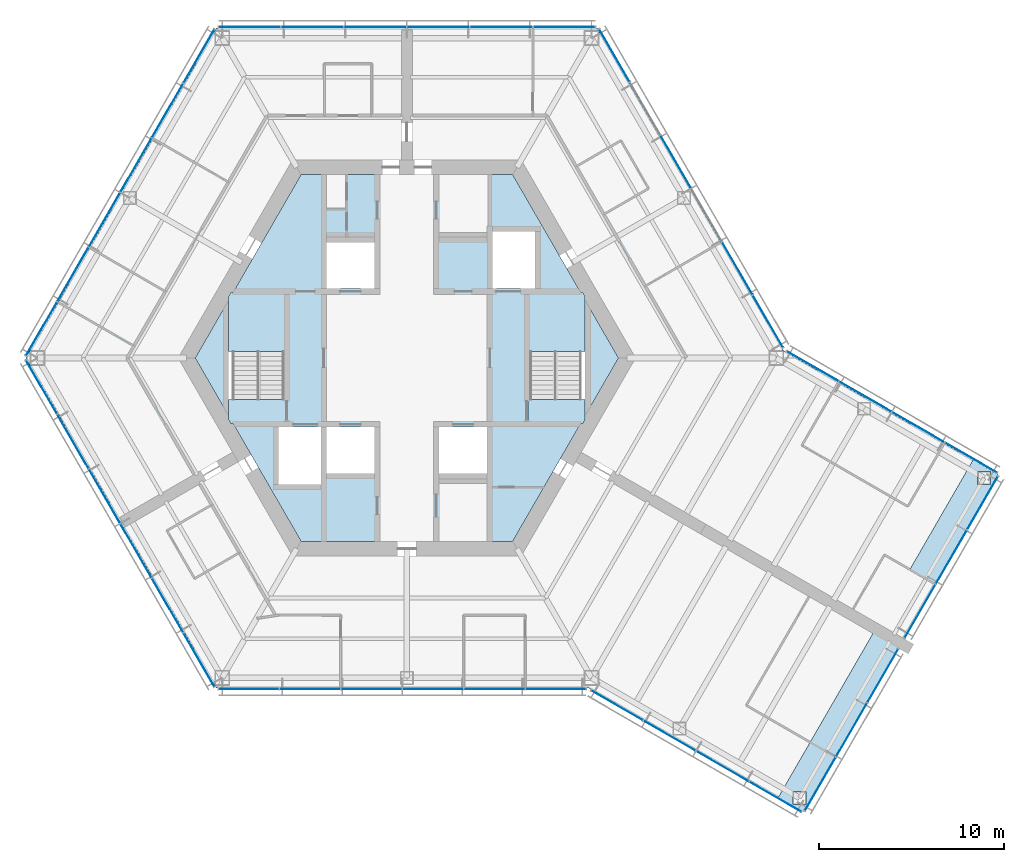
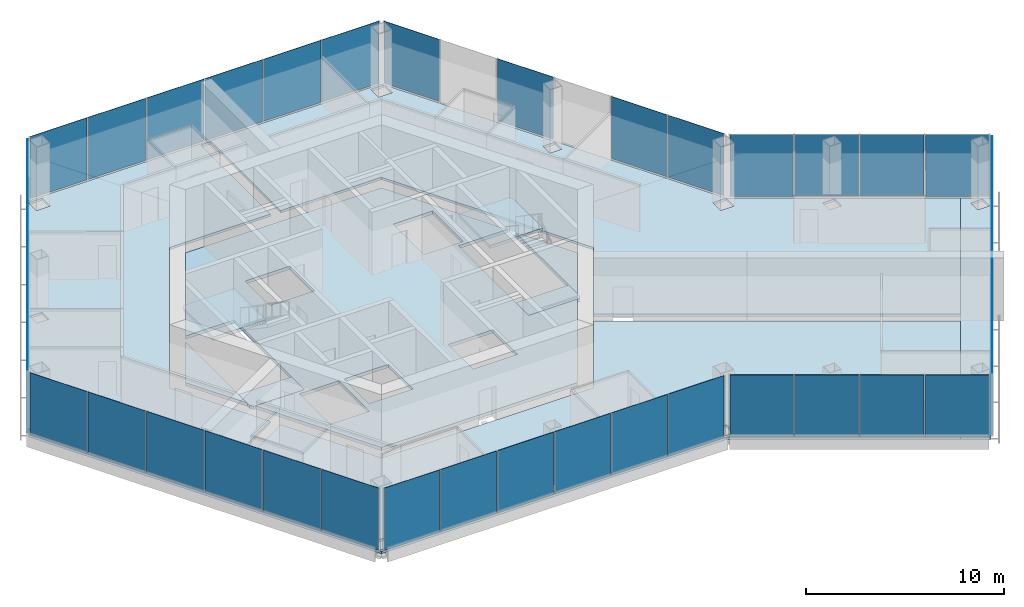
# One storey, part 8 of 16: 42 plates, 9 slabs, 11 elements without a shape of their own.
"""IFC4 building model written with IfcOpenShell, lengths in metres."""

from ifc_helpers import new_model, si_unit, direction, frame, origin, origin_2d, place, context, subcontext, project, spatial, polyline, rectangle, outline, extrude, material, layer, layer_set, type_object, element, aggregate, save


model = new_model("IFC4")

# Units and contexts
model_context = context("Model", 3, precision=1e-05, world=origin(), true_north=direction((0.0, 1.0)))
body_context = subcontext(model_context, "Body", "Model", "MODEL_VIEW")
ifc_project = project(units=[si_unit("LENGTHUNIT", "METRE"), si_unit("AREAUNIT", "SQUARE_METRE"), si_unit("VOLUMEUNIT", "CUBIC_METRE"), si_unit("PLANEANGLEUNIT", "RADIAN"), si_unit("MASSUNIT", "GRAM", prefix="KILO")], contexts=[model_context])

# Site, building, storey
site_placement = place(None, origin())
site = spatial("IfcSite", under=ifc_project, at=site_placement, CompositionType="ELEMENT")
building_placement = place(site_placement, origin())
building = spatial("IfcBuilding", under=site, at=building_placement, Name="Kasaneha Research Tower", CompositionType="ELEMENT")
storey_placement = place(building_placement, frame((0.0, 0.0, 263.5)))
storey = spatial("IfcBuildingStorey", under=building, at=storey_placement, Name="L66", CompositionType="ELEMENT", Elevation=263.5)

# Curtain wall, plates
ifc_material_1 = material(Name="Glass and aluminium", Category="aluminium")
curtain_wall_type = type_object("IfcCurtainWallType", Name="High-rise office curtain wall", PredefinedType="USERDEFINED", material=ifc_material_1)
curtain_wall_1_placement = place(storey_placement, origin())
curtain_wall_1 = element("IfcCurtainWall", 1, at=curtain_wall_1_placement, inside=storey, type_object=curtain_wall_type, Name="CW-O3 L66 run 01a", ObjectType="UNITISED CURTAIN WALL", PredefinedType="USERDEFINED")
ifc_material_2 = material(Name="Laminated double glazing", Category="glass")
ifc_layer_1 = layer(ifc_material_2, 0.02392578125)
ifc_layer_set_1 = layer_set([ifc_layer_1], Name="CW-O3 glazed panel")
plate_type = type_object("IfcPlateType", Name="CW-O3 glazed panel", PredefinedType="CURTAIN_PANEL", material=ifc_layer_set_1)
plate_1_placement = place(storey_placement, frame((19.549072265625, 1.981201171875, 0.06005859375), z_axis=(0.0, 0.0, 1.0), x_axis=(-0.499999979232, 0.866025415775, 0.0)))
plate_1 = element("IfcPlate", 2, at=plate_1_placement, type_object=plate_type, Name="CW-O3 panel 1", PredefinedType="CURTAIN_PANEL", context=body_context, shape_type="SweptSolid", body=[
    extrude(rectangle(XDim=3.240966796875, YDim=0.02392578125, at=origin_2d()), origin(), (0.0, 0.0, 1.0), 3.840087890625),
])
plate_2_placement = place(storey_placement, frame((17.89111328125, 4.852783203125, 0.06005859375), z_axis=(0.0, 0.0, 1.0), x_axis=(-0.499999979232, 0.866025415775, 0.0)))
plate_2 = element("IfcPlate", 3, at=plate_2_placement, type_object=plate_type, Name="CW-O3 panel 2", PredefinedType="CURTAIN_PANEL", context=body_context, shape_type="SweptSolid", body=[
    extrude(rectangle(XDim=3.27099609375, YDim=0.02392578125, at=origin_2d()), origin(), (0.0, 0.0, 1.0), 3.840087890625),
])
plate_3_placement = place(storey_placement, frame((14.56005859375, 10.622314453125, 0.06005859375), z_axis=(0.0, 0.0, 1.0), x_axis=(-0.499999979232, 0.866025415775, 0.0)))
plate_3 = element("IfcPlate", 4, at=plate_3_placement, type_object=plate_type, Name="CW-O3 panel 4", PredefinedType="CURTAIN_PANEL", context=body_context, shape_type="SweptSolid", body=[
    extrude(rectangle(XDim=3.27099609375, YDim=0.02392578125, at=origin_2d()), origin(), (0.0, 0.0, 1.0), 3.840087890625),
])
plate_4_placement = place(storey_placement, frame((11.236572265625, 16.378662109375, 0.06005859375), z_axis=(0.0, 0.0, 1.0), x_axis=(-0.499999979232, 0.866025415775, 0.0)))
plate_4 = element("IfcPlate", 5, at=plate_4_placement, type_object=plate_type, Name="CW-O3 panel 6", PredefinedType="CURTAIN_PANEL", context=body_context, shape_type="SweptSolid", body=[
    extrude(rectangle(XDim=3.240966796875, YDim=0.02392578125, at=origin_2d()), origin(), (0.0, 0.0, 1.0), 3.840087890625),
])
aggregate(curtain_wall_1, [plate_1, plate_2, plate_3, plate_4])

curtain_wall_2_placement = place(storey_placement, origin())
curtain_wall_2 = element("IfcCurtainWall", 6, at=curtain_wall_2_placement, inside=storey, type_object=curtain_wall_type, Name="CW-O3 L66 run 02a", ObjectType="UNITISED CURTAIN WALL", PredefinedType="USERDEFINED")
plate_5_placement = place(storey_placement, frame((8.523681640625, 17.92041015625, 0.06005859375), z_axis=(0.0, 0.0, 1.0), x_axis=(-1.0, 0.0, 0.0)))
plate_5 = element("IfcPlate", 7, at=plate_5_placement, type_object=plate_type, Name="CW-O3 panel 1", PredefinedType="CURTAIN_PANEL", context=body_context, shape_type="SweptSolid", body=[
    extrude(rectangle(XDim=3.325439453125, YDim=0.02392578125, at=origin_2d()), origin(), (0.0, 0.0, 1.0), 3.840087890625),
])
plate_6_placement = place(storey_placement, frame((5.123291015625, 17.92041015625, 0.06005859375), z_axis=(0.0, 0.0, 1.0), x_axis=(-1.0, 0.0, 0.0)))
plate_6 = element("IfcPlate", 8, at=plate_6_placement, type_object=plate_type, Name="CW-O3 panel 2", PredefinedType="CURTAIN_PANEL", context=body_context, shape_type="SweptSolid", body=[
    extrude(rectangle(XDim=3.35546875, YDim=0.02392578125, at=origin_2d()), origin(), (0.0, 0.0, 1.0), 3.840087890625),
])
plate_7_placement = place(storey_placement, frame((1.707763671875, 17.92041015625, 0.06005859375), z_axis=(0.0, 0.0, 1.0), x_axis=(-1.0, 0.0, 0.0)))
plate_7 = element("IfcPlate", 9, at=plate_7_placement, type_object=plate_type, Name="CW-O3 panel 3", PredefinedType="CURTAIN_PANEL", context=body_context, shape_type="SweptSolid", body=[
    extrude(rectangle(XDim=3.35546875, YDim=0.02392578125, at=origin_2d()), origin(), (0.0, 0.0, 1.0), 3.840087890625),
])
plate_8_placement = place(storey_placement, frame((-1.707763671875, 17.92041015625, 0.06005859375), z_axis=(0.0, 0.0, 1.0), x_axis=(-1.0, 0.0, 0.0)))
plate_8 = element("IfcPlate", 10, at=plate_8_placement, type_object=plate_type, Name="CW-O3 panel 4", PredefinedType="CURTAIN_PANEL", context=body_context, shape_type="SweptSolid", body=[
    extrude(rectangle(XDim=3.35546875, YDim=0.02392578125, at=origin_2d()), origin(), (0.0, 0.0, 1.0), 3.840087890625),
])
plate_9_placement = place(storey_placement, frame((-5.123291015625, 17.92041015625, 0.06005859375), z_axis=(0.0, 0.0, 1.0), x_axis=(-1.0, 0.0, 0.0)))
plate_9 = element("IfcPlate", 11, at=plate_9_placement, type_object=plate_type, Name="CW-O3 panel 5", PredefinedType="CURTAIN_PANEL", context=body_context, shape_type="SweptSolid", body=[
    extrude(rectangle(XDim=3.35546875, YDim=0.02392578125, at=origin_2d()), origin(), (0.0, 0.0, 1.0), 3.840087890625),
])
plate_10_placement = place(storey_placement, frame((-8.523681640625, 17.92041015625, 0.06005859375), z_axis=(0.0, 0.0, 1.0), x_axis=(-1.0, 0.0, 0.0)))
plate_10 = element("IfcPlate", 12, at=plate_10_placement, type_object=plate_type, Name="CW-O3 panel 6", PredefinedType="CURTAIN_PANEL", context=body_context, shape_type="SweptSolid", body=[
    extrude(rectangle(XDim=3.325439453125, YDim=0.02392578125, at=origin_2d()), origin(), (0.0, 0.0, 1.0), 3.840087890625),
])
aggregate(curtain_wall_2, [plate_5, plate_6, plate_7, plate_8, plate_9, plate_10])

curtain_wall_3_placement = place(storey_placement, origin())
curtain_wall_3 = element("IfcCurtainWall", 13, at=curtain_wall_3_placement, inside=storey, type_object=curtain_wall_type, Name="CW-O3 L66 run 03a", ObjectType="UNITISED CURTAIN WALL", PredefinedType="USERDEFINED")
plate_11_placement = place(storey_placement, frame((-11.2578125, 16.342041015625, 0.06005859375), z_axis=(0.0, 0.0, 1.0), x_axis=(-0.499999995722, -0.866025406254, 0.0)))
plate_11 = element("IfcPlate", 14, at=plate_11_placement, type_object=plate_type, Name="CW-O3 panel 1", PredefinedType="CURTAIN_PANEL", context=body_context, shape_type="SweptSolid", body=[
    extrude(rectangle(XDim=3.325439453125, YDim=0.02392578125, at=origin_2d()), origin(), (0.0, 0.0, 1.0), 3.840087890625),
])
plate_12_placement = place(storey_placement, frame((-12.9580078125, 13.39697265625, 0.06005859375), z_axis=(0.0, 0.0, 1.0), x_axis=(-0.499999995722, -0.866025406254, 0.0)))
plate_12 = element("IfcPlate", 15, at=plate_12_placement, type_object=plate_type, Name="CW-O3 panel 2", PredefinedType="CURTAIN_PANEL", context=body_context, shape_type="SweptSolid", body=[
    extrude(rectangle(XDim=3.35546875, YDim=0.02392578125, at=origin_2d()), origin(), (0.0, 0.0, 1.0), 3.840087890625),
])
plate_13_placement = place(storey_placement, frame((-14.665771484375, 10.439208984375, 0.06005859375), z_axis=(0.0, 0.0, 1.0), x_axis=(-0.499999995722, -0.866025406254, 0.0)))
plate_13 = element("IfcPlate", 16, at=plate_13_placement, type_object=plate_type, Name="CW-O3 panel 3", PredefinedType="CURTAIN_PANEL", context=body_context, shape_type="SweptSolid", body=[
    extrude(rectangle(XDim=3.35546875, YDim=0.02392578125, at=origin_2d()), origin(), (0.0, 0.0, 1.0), 3.840087890625),
])
plate_14_placement = place(storey_placement, frame((-16.37353515625, 7.481201171875, 0.06005859375), z_axis=(0.0, 0.0, 1.0), x_axis=(-0.499999995722, -0.866025406254, 0.0)))
plate_14 = element("IfcPlate", 17, at=plate_14_placement, type_object=plate_type, Name="CW-O3 panel 4", PredefinedType="CURTAIN_PANEL", context=body_context, shape_type="SweptSolid", body=[
    extrude(rectangle(XDim=3.35546875, YDim=0.02392578125, at=origin_2d()), origin(), (0.0, 0.0, 1.0), 3.840087890625),
])
plate_15_placement = place(storey_placement, frame((-18.081298828125, 4.5234375, 0.06005859375), z_axis=(0.0, 0.0, 1.0), x_axis=(-0.499999995722, -0.866025406254, 0.0)))
plate_15 = element("IfcPlate", 18, at=plate_15_placement, type_object=plate_type, Name="CW-O3 panel 5", PredefinedType="CURTAIN_PANEL", context=body_context, shape_type="SweptSolid", body=[
    extrude(rectangle(XDim=3.35546875, YDim=0.02392578125, at=origin_2d()), origin(), (0.0, 0.0, 1.0), 3.840087890625),
])
plate_16_placement = place(storey_placement, frame((-19.781494140625, 1.57861328125, 0.06005859375), z_axis=(0.0, 0.0, 1.0), x_axis=(-0.499999995722, -0.866025406254, 0.0)))
plate_16 = element("IfcPlate", 19, at=plate_16_placement, type_object=plate_type, Name="CW-O3 panel 6", PredefinedType="CURTAIN_PANEL", context=body_context, shape_type="SweptSolid", body=[
    extrude(rectangle(XDim=3.325439453125, YDim=0.02392578125, at=origin_2d()), origin(), (0.0, 0.0, 1.0), 3.840087890625),
])
aggregate(curtain_wall_3, [plate_11, plate_12, plate_13, plate_14, plate_15, plate_16])

curtain_wall_4_placement = place(storey_placement, origin())
curtain_wall_4 = element("IfcCurtainWall", 20, at=curtain_wall_4_placement, inside=storey, type_object=curtain_wall_type, Name="CW-O3 L66 run 04a", ObjectType="UNITISED CURTAIN WALL", PredefinedType="USERDEFINED")
plate_17_placement = place(storey_placement, frame((-19.781494140625, -1.57861328125, 0.06005859375), z_axis=(0.0, 0.0, 1.0), x_axis=(0.499999995722, -0.866025406254, 0.0)))
plate_17 = element("IfcPlate", 21, at=plate_17_placement, type_object=plate_type, Name="CW-O3 panel 1", PredefinedType="CURTAIN_PANEL", context=body_context, shape_type="SweptSolid", body=[
    extrude(rectangle(XDim=3.325439453125, YDim=0.02392578125, at=origin_2d()), origin(), (0.0, 0.0, 1.0), 3.840087890625),
])
plate_18_placement = place(storey_placement, frame((-18.081298828125, -4.5234375, 0.06005859375), z_axis=(0.0, 0.0, 1.0), x_axis=(0.499999995722, -0.866025406254, 0.0)))
plate_18 = element("IfcPlate", 22, at=plate_18_placement, type_object=plate_type, Name="CW-O3 panel 2", PredefinedType="CURTAIN_PANEL", context=body_context, shape_type="SweptSolid", body=[
    extrude(rectangle(XDim=3.35546875, YDim=0.02392578125, at=origin_2d()), origin(), (0.0, 0.0, 1.0), 3.840087890625),
])
plate_19_placement = place(storey_placement, frame((-16.37353515625, -7.481201171875, 0.06005859375), z_axis=(0.0, 0.0, 1.0), x_axis=(0.499999995722, -0.866025406254, 0.0)))
plate_19 = element("IfcPlate", 23, at=plate_19_placement, type_object=plate_type, Name="CW-O3 panel 3", PredefinedType="CURTAIN_PANEL", context=body_context, shape_type="SweptSolid", body=[
    extrude(rectangle(XDim=3.35546875, YDim=0.02392578125, at=origin_2d()), origin(), (0.0, 0.0, 1.0), 3.840087890625),
])
plate_20_placement = place(storey_placement, frame((-14.665771484375, -10.439208984375, 0.06005859375), z_axis=(0.0, 0.0, 1.0), x_axis=(0.499999995722, -0.866025406254, 0.0)))
plate_20 = element("IfcPlate", 24, at=plate_20_placement, type_object=plate_type, Name="CW-O3 panel 4", PredefinedType="CURTAIN_PANEL", context=body_context, shape_type="SweptSolid", body=[
    extrude(rectangle(XDim=3.35546875, YDim=0.02392578125, at=origin_2d()), origin(), (0.0, 0.0, 1.0), 3.840087890625),
])
plate_21_placement = place(storey_placement, frame((-12.9580078125, -13.39697265625, 0.06005859375), z_axis=(0.0, 0.0, 1.0), x_axis=(0.499999995722, -0.866025406254, 0.0)))
plate_21 = element("IfcPlate", 25, at=plate_21_placement, type_object=plate_type, Name="CW-O3 panel 5", PredefinedType="CURTAIN_PANEL", context=body_context, shape_type="SweptSolid", body=[
    extrude(rectangle(XDim=3.35546875, YDim=0.02392578125, at=origin_2d()), origin(), (0.0, 0.0, 1.0), 3.840087890625),
])
plate_22_placement = place(storey_placement, frame((-11.2578125, -16.342041015625, 0.06005859375), z_axis=(0.0, 0.0, 1.0), x_axis=(0.499999995722, -0.866025406254, 0.0)))
plate_22 = element("IfcPlate", 26, at=plate_22_placement, type_object=plate_type, Name="CW-O3 panel 6", PredefinedType="CURTAIN_PANEL", context=body_context, shape_type="SweptSolid", body=[
    extrude(rectangle(XDim=3.325439453125, YDim=0.02392578125, at=origin_2d()), origin(), (0.0, 0.0, 1.0), 3.840087890625),
])
aggregate(curtain_wall_4, [plate_17, plate_18, plate_19, plate_20, plate_21, plate_22])

curtain_wall_5_placement = place(storey_placement, origin())
curtain_wall_5 = element("IfcCurtainWall", 27, at=curtain_wall_5_placement, inside=storey, type_object=curtain_wall_type, Name="CW-O3 L66 run 05a", ObjectType="UNITISED CURTAIN WALL", PredefinedType="USERDEFINED")
plate_23_placement = place(storey_placement, frame((-8.56591796875, -17.92041015625, 0.06005859375), z_axis=(0.0, 0.0, 1.0), x_axis=(1.0, 0.0, 0.0)))
plate_23 = element("IfcPlate", 28, at=plate_23_placement, type_object=plate_type, Name="CW-O3 panel 1", PredefinedType="CURTAIN_PANEL", context=body_context, shape_type="SweptSolid", body=[
    extrude(rectangle(XDim=3.240966796875, YDim=0.02392578125, at=origin_2d()), origin(), (0.0, 0.0, 1.0), 3.840087890625),
])
plate_24_placement = place(storey_placement, frame((-5.25, -17.92041015625, 0.06005859375), z_axis=(0.0, 0.0, 1.0), x_axis=(1.0, 0.0, 0.0)))
plate_24 = element("IfcPlate", 29, at=plate_24_placement, type_object=plate_type, Name="CW-O3 panel 2", PredefinedType="CURTAIN_PANEL", context=body_context, shape_type="SweptSolid", body=[
    extrude(rectangle(XDim=3.27099609375, YDim=0.02392578125, at=origin_2d()), origin(), (0.0, 0.0, 1.0), 3.840087890625),
])
plate_25_placement = place(storey_placement, frame((-1.9189453125, -17.92041015625, 0.06005859375), z_axis=(0.0, 0.0, 1.0), x_axis=(1.0, 0.0, 0.0)))
plate_25 = element("IfcPlate", 30, at=plate_25_placement, type_object=plate_type, Name="CW-O3 panel 3", PredefinedType="CURTAIN_PANEL", context=body_context, shape_type="SweptSolid", body=[
    extrude(rectangle(XDim=3.27099609375, YDim=0.02392578125, at=origin_2d()), origin(), (0.0, 0.0, 1.0), 3.840087890625),
])
plate_26_placement = place(storey_placement, frame((1.411865234375, -17.92041015625, 0.06005859375), z_axis=(0.0, 0.0, 1.0), x_axis=(1.0, 0.0, 0.0)))
plate_26 = element("IfcPlate", 31, at=plate_26_placement, type_object=plate_type, Name="CW-O3 panel 4", PredefinedType="CURTAIN_PANEL", context=body_context, shape_type="SweptSolid", body=[
    extrude(rectangle(XDim=3.27099609375, YDim=0.02392578125, at=origin_2d()), origin(), (0.0, 0.0, 1.0), 3.840087890625),
])
plate_27_placement = place(storey_placement, frame((4.742919921875, -17.92041015625, 0.06005859375), z_axis=(0.0, 0.0, 1.0), x_axis=(1.0, 0.0, 0.0)))
plate_27 = element("IfcPlate", 32, at=plate_27_placement, type_object=plate_type, Name="CW-O3 panel 5", PredefinedType="CURTAIN_PANEL", context=body_context, shape_type="SweptSolid", body=[
    extrude(rectangle(XDim=3.27099609375, YDim=0.02392578125, at=origin_2d()), origin(), (0.0, 0.0, 1.0), 3.840087890625),
])
plate_28_placement = place(storey_placement, frame((8.058837890625, -17.92041015625, 0.06005859375), z_axis=(0.0, 0.0, 1.0), x_axis=(1.0, 0.0, 0.0)))
plate_28 = element("IfcPlate", 33, at=plate_28_placement, type_object=plate_type, Name="CW-O3 panel 6", PredefinedType="CURTAIN_PANEL", context=body_context, shape_type="SweptSolid", body=[
    extrude(rectangle(XDim=3.240966796875, YDim=0.02392578125, at=origin_2d()), origin(), (0.0, 0.0, 1.0), 3.840087890625),
])
aggregate(curtain_wall_5, [plate_23, plate_24, plate_25, plate_26, plate_27, plate_28])

curtain_wall_6_placement = place(storey_placement, origin())
curtain_wall_6 = element("IfcCurtainWall", 34, at=curtain_wall_6_placement, inside=storey, type_object=curtain_wall_type, Name="CW-O3 L66 run 06a", ObjectType="UNITISED CURTAIN WALL", PredefinedType="USERDEFINED")
plate_29_placement = place(storey_placement, frame((11.3720703125, -18.805419921875, 0.06005859375), z_axis=(0.0, 0.0, 1.0), x_axis=(0.866025411464, -0.499999986699, 0.0)))
plate_29 = element("IfcPlate", 35, at=plate_29_placement, type_object=plate_type, Name="CW-O3 panel 1", PredefinedType="CURTAIN_PANEL", context=body_context, shape_type="SweptSolid", body=[
    extrude(rectangle(XDim=3.2197265625, YDim=0.02392578125, at=origin_2d()), origin(), (0.0, 0.0, 1.0), 3.840087890625),
])
plate_30_placement = place(storey_placement, frame((14.225341796875, -20.452880859375, 0.06005859375), z_axis=(0.0, 0.0, 1.0), x_axis=(0.866025411464, -0.499999986699, 0.0)))
plate_30 = element("IfcPlate", 36, at=plate_30_placement, type_object=plate_type, Name="CW-O3 panel 2", PredefinedType="CURTAIN_PANEL", context=body_context, shape_type="SweptSolid", body=[
    extrude(rectangle(XDim=3.249755859375, YDim=0.02392578125, at=origin_2d()), origin(), (0.0, 0.0, 1.0), 3.840087890625),
])
plate_31_placement = place(storey_placement, frame((17.091796875, -22.107666015625, 0.06005859375), z_axis=(0.0, 0.0, 1.0), x_axis=(0.866025411464, -0.499999986699, 0.0)))
plate_31 = element("IfcPlate", 37, at=plate_31_placement, type_object=plate_type, Name="CW-O3 panel 3", PredefinedType="CURTAIN_PANEL", context=body_context, shape_type="SweptSolid", body=[
    extrude(rectangle(XDim=3.249755859375, YDim=0.02392578125, at=origin_2d()), origin(), (0.0, 0.0, 1.0), 3.840087890625),
])
plate_32_placement = place(storey_placement, frame((19.945068359375, -23.755126953125, 0.06005859375), z_axis=(0.0, 0.0, 1.0), x_axis=(0.866025411464, -0.499999986699, 0.0)))
plate_32 = element("IfcPlate", 38, at=plate_32_placement, type_object=plate_type, Name="CW-O3 panel 4", PredefinedType="CURTAIN_PANEL", context=body_context, shape_type="SweptSolid", body=[
    extrude(rectangle(XDim=3.2197265625, YDim=0.02392578125, at=origin_2d()), origin(), (0.0, 0.0, 1.0), 3.840087890625),
])
aggregate(curtain_wall_6, [plate_29, plate_30, plate_31, plate_32])

curtain_wall_7_placement = place(storey_placement, origin())
curtain_wall_7 = element("IfcCurtainWall", 39, at=curtain_wall_7_placement, inside=storey, type_object=curtain_wall_type, Name="CW-O3 L66 run 07a", ObjectType="UNITISED CURTAIN WALL", PredefinedType="USERDEFINED")
plate_33_placement = place(storey_placement, frame((22.385498046875, -23.068359375, 0.06005859375), z_axis=(0.0, 0.0, 1.0), x_axis=(0.500000011442, 0.866025397178, 0.0)))
plate_33 = element("IfcPlate", 40, at=plate_33_placement, type_object=plate_type, Name="CW-O3 panel 1", PredefinedType="CURTAIN_PANEL", context=body_context, shape_type="SweptSolid", body=[
    extrude(rectangle(XDim=3.31005859375, YDim=0.02392578125, at=origin_2d()), origin(), (0.0, 0.0, 1.0), 3.840087890625),
])
plate_34_placement = place(storey_placement, frame((24.077880859375, -20.13671875, 0.06005859375), z_axis=(0.0, 0.0, 1.0), x_axis=(0.500000011442, 0.866025397178, 0.0)))
plate_34 = element("IfcPlate", 41, at=plate_34_placement, type_object=plate_type, Name="CW-O3 panel 2", PredefinedType="CURTAIN_PANEL", context=body_context, shape_type="SweptSolid", body=[
    extrude(rectangle(XDim=3.340087890625, YDim=0.02392578125, at=origin_2d()), origin(), (0.0, 0.0, 1.0), 3.840087890625),
])
plate_35_placement = place(storey_placement, frame((25.7705078125, -17.205322265625, 0.06005859375), z_axis=(0.0, 0.0, 1.0), x_axis=(0.500000011442, 0.866025397178, 0.0)))
plate_35 = element("IfcPlate", 42, at=plate_35_placement, type_object=plate_type, Name="CW-O3 panel 3", PredefinedType="CURTAIN_PANEL", context=body_context, shape_type="SweptSolid", body=[
    extrude(rectangle(XDim=3.31005859375, YDim=0.02392578125, at=origin_2d()), origin(), (0.0, 0.0, 1.0), 3.840087890625),
])
aggregate(curtain_wall_7, [plate_33, plate_34, plate_35])

curtain_wall_8_placement = place(storey_placement, origin())
curtain_wall_8 = element("IfcCurtainWall", 43, at=curtain_wall_8_placement, inside=storey, type_object=curtain_wall_type, Name="CW-O3 L66 run 08a", ObjectType="UNITISED CURTAIN WALL", PredefinedType="USERDEFINED")
plate_36_placement = place(storey_placement, frame((27.785400390625, -13.71533203125, 0.06005859375), z_axis=(0.0, 0.0, 1.0), x_axis=(0.500000011442, 0.866025397178, 0.0)))
plate_36 = element("IfcPlate", 44, at=plate_36_placement, type_object=plate_type, Name="CW-O3 panel 1", PredefinedType="CURTAIN_PANEL", context=body_context, shape_type="SweptSolid", body=[
    extrude(rectangle(XDim=3.31005859375, YDim=0.02392578125, at=origin_2d()), origin(), (0.0, 0.0, 1.0), 3.840087890625),
])
plate_37_placement = place(storey_placement, frame((29.47802734375, -10.78369140625, 0.06005859375), z_axis=(0.0, 0.0, 1.0), x_axis=(0.500000011442, 0.866025397178, 0.0)))
plate_37 = element("IfcPlate", 45, at=plate_37_placement, type_object=plate_type, Name="CW-O3 panel 2", PredefinedType="CURTAIN_PANEL", context=body_context, shape_type="SweptSolid", body=[
    extrude(rectangle(XDim=3.340087890625, YDim=0.02392578125, at=origin_2d()), origin(), (0.0, 0.0, 1.0), 3.840087890625),
])
plate_38_placement = place(storey_placement, frame((31.17041015625, -7.852294921875, 0.06005859375), z_axis=(0.0, 0.0, 1.0), x_axis=(0.500000011442, 0.866025397178, 0.0)))
plate_38 = element("IfcPlate", 46, at=plate_38_placement, type_object=plate_type, Name="CW-O3 panel 3", PredefinedType="CURTAIN_PANEL", context=body_context, shape_type="SweptSolid", body=[
    extrude(rectangle(XDim=3.31005859375, YDim=0.02392578125, at=origin_2d()), origin(), (0.0, 0.0, 1.0), 3.840087890625),
])
aggregate(curtain_wall_8, [plate_36, plate_37, plate_38])

curtain_wall_9_placement = place(storey_placement, origin())
curtain_wall_9 = element("IfcCurtainWall", 47, at=curtain_wall_9_placement, inside=storey, type_object=curtain_wall_type, Name="CW-O3 L66 run 09a", ObjectType="UNITISED CURTAIN WALL", PredefinedType="USERDEFINED")
plate_39_placement = place(storey_placement, frame((30.545166015625, -5.3955078125, 0.06005859375), z_axis=(0.0, 0.0, 1.0), x_axis=(-0.866025411464, 0.499999986699, 0.0)))
plate_39 = element("IfcPlate", 48, at=plate_39_placement, type_object=plate_type, Name="CW-O3 panel 1", PredefinedType="CURTAIN_PANEL", context=body_context, shape_type="SweptSolid", body=[
    extrude(rectangle(XDim=3.2197265625, YDim=0.02392578125, at=origin_2d()), origin(), (0.0, 0.0, 1.0), 3.840087890625),
])
plate_40_placement = place(storey_placement, frame((27.69189453125, -3.748046875, 0.06005859375), z_axis=(0.0, 0.0, 1.0), x_axis=(-0.866025411464, 0.499999986699, 0.0)))
plate_40 = element("IfcPlate", 49, at=plate_40_placement, type_object=plate_type, Name="CW-O3 panel 2", PredefinedType="CURTAIN_PANEL", context=body_context, shape_type="SweptSolid", body=[
    extrude(rectangle(XDim=3.249755859375, YDim=0.02392578125, at=origin_2d()), origin(), (0.0, 0.0, 1.0), 3.840087890625),
])
plate_41_placement = place(storey_placement, frame((24.825439453125, -2.093017578125, 0.06005859375), z_axis=(0.0, 0.0, 1.0), x_axis=(-0.866025411464, 0.499999986699, 0.0)))
plate_41 = element("IfcPlate", 50, at=plate_41_placement, type_object=plate_type, Name="CW-O3 panel 3", PredefinedType="CURTAIN_PANEL", context=body_context, shape_type="SweptSolid", body=[
    extrude(rectangle(XDim=3.249755859375, YDim=0.02392578125, at=origin_2d()), origin(), (0.0, 0.0, 1.0), 3.840087890625),
])
plate_42_placement = place(storey_placement, frame((21.971923828125, -0.44580078125, 0.06005859375), z_axis=(0.0, 0.0, 1.0), x_axis=(-0.866025411464, 0.499999986699, 0.0)))
plate_42 = element("IfcPlate", 51, at=plate_42_placement, type_object=plate_type, Name="CW-O3 panel 4", PredefinedType="CURTAIN_PANEL", context=body_context, shape_type="SweptSolid", body=[
    extrude(rectangle(XDim=3.2197265625, YDim=0.02392578125, at=origin_2d()), origin(), (0.0, 0.0, 1.0), 3.840087890625),
])
aggregate(curtain_wall_9, [plate_39, plate_40, plate_41, plate_42])

# Slabs
ifc_material_3 = material(Name="Concrete Fc24", Category="concrete")
ifc_layer_2 = layer(ifc_material_3, 0.199951171875)
ifc_layer_set_2 = layer_set([ifc_layer_2], Name="Core floor slab 200")
slab_type_1 = type_object("IfcSlabType", Name="Core floor slab 200", PredefinedType="FLOOR", material=ifc_layer_set_2)
slab_1_placement = place(storey_placement, frame((0.0, 0.0, -0.199951171875)))
element("IfcSlab", 52, at=slab_1_placement, inside=storey, type_object=slab_type_1, Name="Core slab L66", PredefinedType="FLOOR", context=body_context, shape_type="SweptSolid", body=[
    extrude(outline(polyline([(-11.46044921875, 0.0), (-9.64990234375, 3.1357421875), (-9.64990234375, -3.1357421875), (-11.46044921875, 0.0)])), origin(), (0.0, 0.0, 1.0), 0.199951171875),
])
slab_2_placement = place(storey_placement, frame((0.0, 0.0, -0.199951171875)))
element("IfcSlab", 53, at=slab_2_placement, inside=storey, type_object=slab_type_1, Name="Core slab L66", PredefinedType="FLOOR", context=body_context, shape_type="SweptSolid", body=[
    extrude(outline(polyline([(-5.730224609375, 9.925048828125), (5.730224609375, 9.925048828125), (9.410888671875, 3.550048828125), (6.550048828125, 3.550048828125), (6.550048828125, -3.550048828125), (9.410888671875, -3.550048828125), (5.730224609375, -9.925048828125), (-5.730224609375, -9.925048828125), (-9.410888671875, -3.550048828125), (-6.550048828125, -3.550048828125), (-6.550048828125, 3.550048828125), (-9.410888671875, 3.550048828125), (-5.730224609375, 9.925048828125)]), holes=[polyline([(-6.949951171875, -6.85009765625), (-4.64990234375, -6.85009765625), (-4.64990234375, -3.75), (-6.949951171875, -3.75), (-6.949951171875, -6.85009765625)]), polyline([(-4.35009765625, -3.75), (-4.35009765625, -6.25), (-1.75, -6.25), (-1.75, -3.75), (-4.35009765625, -3.75)]), polyline([(1.75, -3.75), (1.75, -6.25), (4.35009765625, -6.25), (4.35009765625, -3.75), (1.75, -3.75)]), polyline([(-4.35009765625, 6.25), (-4.35009765625, 3.75), (-1.75, 3.75), (-1.75, 6.25), (-4.35009765625, 6.25)]), polyline([(4.64990234375, 6.85009765625), (4.64990234375, 3.75), (6.949951171875, 3.75), (6.949951171875, 6.85009765625), (4.64990234375, 6.85009765625)])]), origin(), (0.0, 0.0, 1.0), 0.199951171875),
])
slab_3_placement = place(storey_placement, frame((0.0, 0.0, -0.199951171875)))
element("IfcSlab", 54, at=slab_3_placement, inside=storey, type_object=slab_type_1, Name="Core slab L66", PredefinedType="FLOOR", context=body_context, shape_type="SweptSolid", body=[
    extrude(outline(polyline([(11.46044921875, 0.0), (9.64990234375, -3.1357421875), (9.64990234375, 3.1357421875), (11.46044921875, 0.0)])), origin(), (0.0, 0.0, 1.0), 0.199951171875),
])
ifc_material_4 = material(Name="Concrete Fc24", Category="concrete")
ifc_layer_3 = layer(ifc_material_4, 0.14990234375)
ifc_layer_set_3 = layer_set([ifc_layer_3], Name="Floor slab 150")
slab_type_2 = type_object("IfcSlabType", Name="Floor slab 150", PredefinedType="FLOOR", material=ifc_layer_set_3)
slab_4_placement = place(storey_placement, frame((0.0, 0.0, -0.14990234375)))
element("IfcSlab", 55, at=slab_4_placement, inside=storey, type_object=slab_type_2, Name="Floor slab L66 1", PredefinedType="FLOOR", context=body_context, shape_type="SweptSolid", body=[
    extrude(outline(polyline([(-10.317626953125, -17.87060546875), (-10.3974609375, -17.732177734375), (-10.385986328125, -17.720703125), (-9.599853515625, -17.720703125), (-9.599853515625, -16.92041015625), (-10.400146484375, -16.92041015625), (-10.400146484375, -17.70654296875), (-10.40771484375, -17.714111328125), (-20.635009765625, 0.0), (-20.40771484375, 0.3935546875), (-20.400146484375, 0.385986328125), (-20.400146484375, -0.400146484375), (-19.599853515625, -0.400146484375), (-19.599853515625, 0.400146484375), (-20.385986328125, 0.400146484375), (-20.3974609375, 0.41162109375), (-10.40771484375, 17.714111328125), (-10.400146484375, 17.70654296875), (-10.400146484375, 16.92041015625), (-9.599853515625, 16.92041015625), (-9.599853515625, 17.720703125), (-10.385986328125, 17.720703125), (-10.3974609375, 17.732177734375), (-10.317626953125, 17.87060546875), (10.317626953125, 17.87060546875), (10.3974609375, 17.732177734375), (10.385986328125, 17.720703125), (9.599853515625, 17.720703125), (9.599853515625, 16.92041015625), (10.400146484375, 16.92041015625), (10.400146484375, 17.70654296875), (10.40771484375, 17.714111328125), (20.3974609375, 0.41162109375), (20.385986328125, 0.400146484375), (19.599853515625, 0.400146484375), (19.599853515625, -0.400146484375), (20.400146484375, -0.400146484375), (20.400146484375, 0.385986328125), (20.41162109375, 0.3974609375), (30.65869140625, -5.518798828125), (25.53369140625, -14.3955078125), (9.438232421875, -5.102783203125), (12.38427734375, 0.0), (6.192138671875, 10.72509765625), (0.300048828125, 10.72509765625), (0.300048828125, 17.7705078125), (-0.300048828125, 17.7705078125), (-0.300048828125, 10.72509765625), (-6.192138671875, 10.72509765625), (-12.38427734375, 0.0), (-9.438232421875, -5.102783203125), (-15.539794921875, -8.62548828125), (-15.23974609375, -9.14501953125), (-9.13818359375, -5.622314453125), (-6.192138671875, -10.72509765625), (6.192138671875, -10.72509765625), (9.13818359375, -5.622314453125), (25.233642578125, -14.9150390625), (20.108642578125, -23.791748046875), (9.8525390625, -17.87060546875), (-10.317626953125, -17.87060546875)]), holes=[polyline([(-0.35009765625, -17.67041015625), (0.35009765625, -17.67041015625), (0.35009765625, -16.970458984375), (-0.35009765625, -16.970458984375), (-0.35009765625, -17.67041015625)]), polyline([(-15.35009765625, 8.310302734375), (-14.64990234375, 8.310302734375), (-14.64990234375, 9.01025390625), (-15.35009765625, 9.01025390625), (-15.35009765625, 8.310302734375)]), polyline([(14.4130859375, -20.42041015625), (15.113037109375, -20.42041015625), (15.113037109375, -19.720458984375), (14.4130859375, -19.720458984375), (14.4130859375, -20.42041015625)]), polyline([(9.60009765625, -17.720458984375), (10.39990234375, -17.720458984375), (10.39990234375, -16.92041015625), (9.60009765625, -16.92041015625), (9.60009765625, -17.720458984375)]), polyline([(24.4130859375, -3.10009765625), (25.113037109375, -3.10009765625), (25.113037109375, -2.39990234375), (24.4130859375, -2.39990234375), (24.4130859375, -3.10009765625)]), polyline([(14.64990234375, 9.01025390625), (14.64990234375, 8.310302734375), (15.35009765625, 8.310302734375), (15.35009765625, 9.01025390625), (14.64990234375, 9.01025390625)])]), origin(), (0.0, 0.0, 1.0), 0.14990234375),
])
slab_5_placement = place(storey_placement, frame((0.0, 0.0, -0.14990234375)))
element("IfcSlab", 56, at=slab_5_placement, inside=storey, type_object=slab_type_2, Name="Floor slab L66 2", PredefinedType="FLOOR", context=body_context, shape_type="SweptSolid", body=[
    extrude(outline(polyline([(32.009521484375, -6.298583984375), (21.459716796875, -24.57177734375), (20.108642578125, -23.791748046875), (25.233642578125, -14.9150390625), (25.2421875, -14.920166015625), (25.542236328125, -14.400390625), (25.53369140625, -14.3955078125), (30.65869140625, -5.518798828125), (32.009521484375, -6.298583984375)]), holes=[polyline([(20.908447265625, -24.17041015625), (21.6083984375, -24.17041015625), (21.6083984375, -23.470458984375), (20.908447265625, -23.470458984375), (20.908447265625, -24.17041015625)]), polyline([(30.908447265625, -6.85009765625), (31.6083984375, -6.85009765625), (31.6083984375, -6.14990234375), (30.908447265625, -6.14990234375), (30.908447265625, -6.85009765625)])]), origin(), (0.0, 0.0, 1.0), 0.14990234375),
])

# Stair, slabs
ifc_material_5 = material(Name="Concrete Fc24", Category="concrete")
stair_type = type_object("IfcStairType", Name="Half-turn stair 22 risers", PredefinedType="HALF_TURN_STAIR", material=ifc_material_5)
stair_1_placement = place(storey_placement, origin())
stair_1 = element("IfcStair", 57, at=stair_1_placement, inside=storey, type_object=stair_type, Name="Stair 1 L66", PredefinedType="HALF_TURN_STAIR")
ifc_material_6 = material(Name="Concrete Fc24", Category="concrete")
ifc_layer_4 = layer(ifc_material_6, 0.199951171875)
ifc_layer_set_4 = layer_set([ifc_layer_4], Name="Stair 1 landing 200")
slab_type_3 = type_object("IfcSlabType", Name="Stair 1 landing 200", PredefinedType="LANDING", material=ifc_layer_set_4)
slab_6_placement = place(storey_placement, frame((0.0, 0.0, -0.199951171875)))
slab_6 = element("IfcSlab", 58, at=slab_6_placement, type_object=slab_type_3, Name="ST1-22R landing 1", PredefinedType="LANDING", context=body_context, shape_type="SweptSolid", body=[
    extrude(outline(polyline([(9.5263671875, -3.550048828125), (6.550048828125, -3.550048828125), (6.550048828125, -2.25), (9.64990234375, -2.25), (9.64990234375, -3.335693359375), (9.5263671875, -3.550048828125)])), origin(), (0.0, 0.0, 1.0), 0.199951171875),
])
slab_7_placement = place(storey_placement, frame((0.0, 0.0, 1.75)))
slab_7 = element("IfcSlab", 59, at=slab_7_placement, type_object=slab_type_3, Name="ST1-22R landing 2", PredefinedType="LANDING", context=body_context, shape_type="SweptSolid", body=[
    extrude(outline(polyline([(6.550048828125, 3.550048828125), (9.5263671875, 3.550048828125), (9.64990234375, 3.335693359375), (9.64990234375, 0.35009765625), (6.550048828125, 0.35009765625), (6.550048828125, 3.550048828125)])), origin(), (0.0, 0.0, 1.0), 0.199951171875),
])
aggregate(stair_1, [slab_6, slab_7])

stair_2_placement = place(storey_placement, origin())
stair_2 = element("IfcStair", 60, at=stair_2_placement, inside=storey, type_object=stair_type, Name="Stair 2 L66", PredefinedType="HALF_TURN_STAIR")
ifc_material_7 = material(Name="Concrete Fc24", Category="concrete")
ifc_layer_5 = layer(ifc_material_7, 0.199951171875)
ifc_layer_set_5 = layer_set([ifc_layer_5], Name="Stair 2 landing 200")
slab_type_4 = type_object("IfcSlabType", Name="Stair 2 landing 200", PredefinedType="LANDING", material=ifc_layer_set_5)
slab_8_placement = place(storey_placement, frame((0.0, 0.0, -0.199951171875)))
slab_8 = element("IfcSlab", 61, at=slab_8_placement, type_object=slab_type_4, Name="ST2-22R landing 1", PredefinedType="LANDING", context=body_context, shape_type="SweptSolid", body=[
    extrude(outline(polyline([(-6.550048828125, -3.550048828125), (-9.5263671875, -3.550048828125), (-9.64990234375, -3.335693359375), (-9.64990234375, -2.25), (-6.550048828125, -2.25), (-6.550048828125, -3.550048828125)])), origin(), (0.0, 0.0, 1.0), 0.199951171875),
])
slab_9_placement = place(storey_placement, frame((0.0, 0.0, 1.75)))
slab_9 = element("IfcSlab", 62, at=slab_9_placement, type_object=slab_type_4, Name="ST2-22R landing 2", PredefinedType="LANDING", context=body_context, shape_type="SweptSolid", body=[
    extrude(outline(polyline([(-6.550048828125, 0.35009765625), (-9.64990234375, 0.35009765625), (-9.64990234375, 3.335693359375), (-9.5263671875, 3.550048828125), (-6.550048828125, 3.550048828125), (-6.550048828125, 0.35009765625)])), origin(), (0.0, 0.0, 1.0), 0.199951171875),
])
aggregate(stair_2, [slab_8, slab_9])

save(model, "model.ifc")
